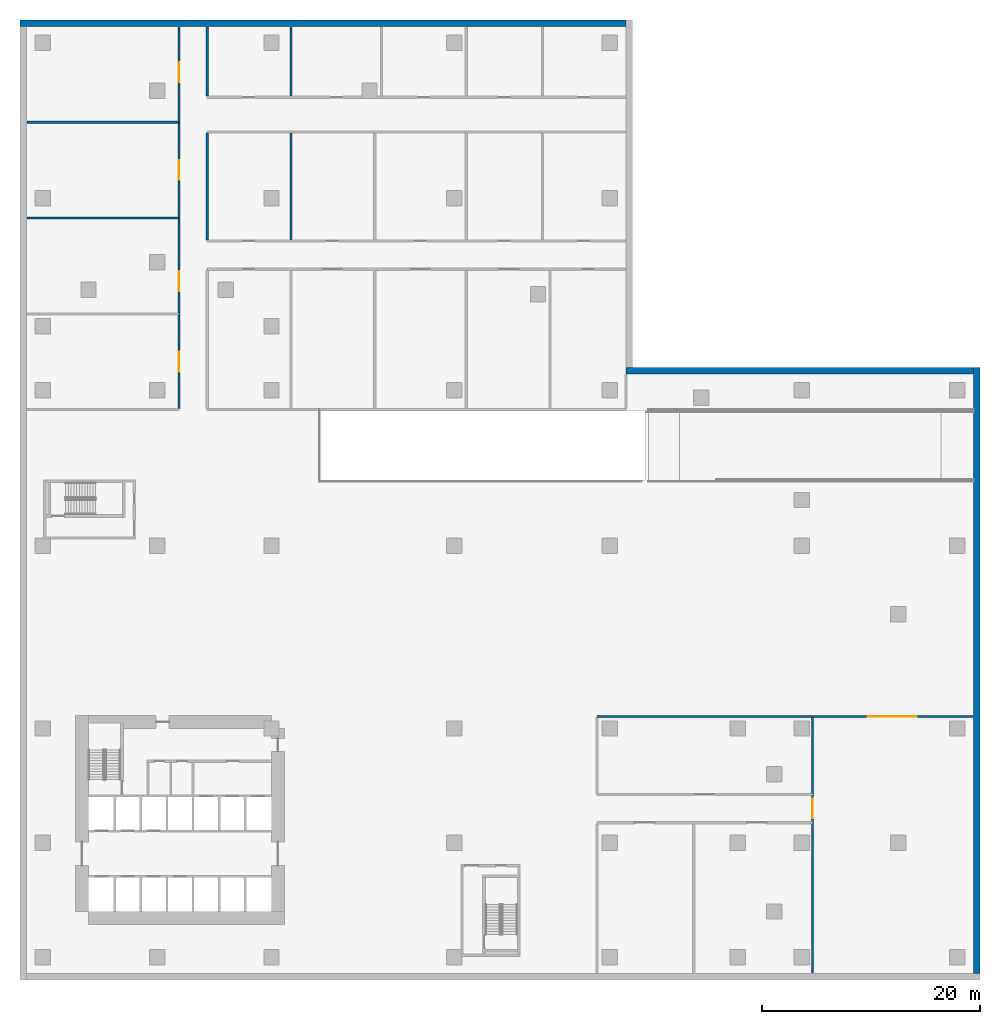
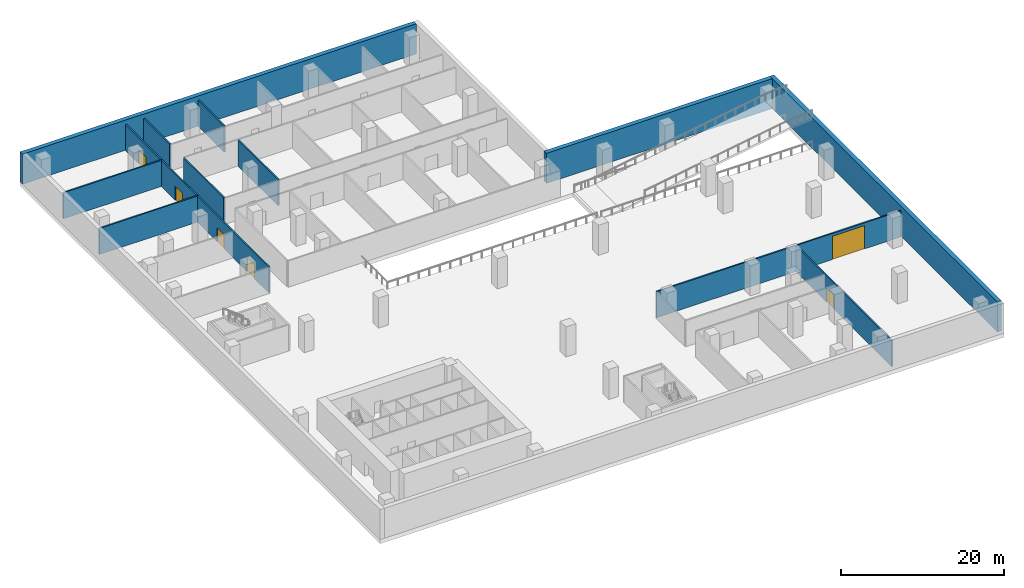
# One storey, part 7 of 12: 12 walls, 6 doors, 6 openings.
"""IFC4 building model written with IfcOpenShell, lengths in metres."""

from ifc_helpers import new_model, si_unit, direction, frame, frame_2d, origin, place, context, subcontext, project, spatial, rectangle, extrude, source, transform, mapped, material, layer, layer_set, type_object, element, fill, save


model = new_model("IFC4")

# Units and contexts
model_context = context("Model", 3, precision=1e-05, world=origin(), true_north=direction((0.0, 1.0)))
body_context = subcontext(model_context, "Body", "Model", "MODEL_VIEW")
ifc_project = project(units=[si_unit("LENGTHUNIT", "METRE"), si_unit("AREAUNIT", "SQUARE_METRE"), si_unit("VOLUMEUNIT", "CUBIC_METRE"), si_unit("PLANEANGLEUNIT", "RADIAN"), si_unit("MASSUNIT", "GRAM", prefix="KILO")], contexts=[model_context])

# Site, building, storey
site_placement = place(None, origin())
site = spatial("IfcSite", under=ifc_project, at=site_placement, CompositionType="ELEMENT")
building_placement = place(site_placement, origin())
building = spatial("IfcBuilding", under=site, at=building_placement, Name="Aurelian Terraces", CompositionType="ELEMENT")
storey_placement = place(building_placement, frame((0.0, 0.0, -4.5)))
storey = spatial("IfcBuildingStorey", under=building, at=storey_placement, Name="B1", CompositionType="ELEMENT", Elevation=-4.5)

# Wall, opening, door
ifc_material_1 = material(Name="Gypsum board on steel studs", Category="steel")
ifc_layer_1 = layer(ifc_material_1, 0.2)
ifc_layer_set_1 = layer_set([ifc_layer_1], Name="Basement partition 200")
wall_type_1 = type_object("IfcWallType", Name="Basement partition 200", PredefinedType="PARTITIONING", material=ifc_layer_set_1)
wall_1_placement = place(storey_placement, frame((70.7, -1.44, 0.0), z_axis=(0.0, 0.0, 1.0), x_axis=(0.0, 1.0, 0.0)))
wall_1 = element("IfcWall", 1, at=wall_1_placement, inside=storey, type_object=wall_type_1, Name="B1 partition 033", PredefinedType="PARTITIONING", context=body_context, shape_type="SweptSolid", body=[
    extrude(rectangle(XDim=23.44, YDim=0.2, at=frame_2d((11.72, 0.0))), origin(), (0.0, 0.0, 1.0), 3.9),
])
shared_shape_1 = source(origin(), body_context, "Body", "SweptSolid", [
    extrude(rectangle(XDim=1.8, YDim=2.1, at=frame_2d((0.9, 1.05))), frame((0.0, 0.11, 0.0), z_axis=(0.0, -1.0, 0.0), x_axis=(1.0, 0.0, 0.0)), (0.0, 0.0, 1.0), 0.22),
])
opening_1_placement = place(wall_1_placement, frame((14.19, 0.0, 0.0)))
opening_1 = element("IfcOpeningElement", 2, at=opening_1_placement, cuts=wall_1, Name="Opening 50223", PredefinedType="OPENING", context=body_context, shape_type="MappedRepresentation", body=[
    mapped(shared_shape_1, transform((0.0, 0.0, 0.0), scale=1.0)),
])
ifc_material_2 = material(Name="Steel door leaf", Category="steel")
door_type_1 = type_object("IfcDoorType", Name="Back of house door double 1800x2100", OperationType="DOUBLE_DOOR_SINGLE_SWING", PredefinedType="DOOR", material=ifc_material_2)
shared_shape_2 = source(origin(), body_context, "Body", "SweptSolid", [
    extrude(rectangle(XDim=1.8, YDim=2.1, at=frame_2d((0.9, 1.05))), frame((0.0, 0.025, 0.0), z_axis=(0.0, -1.0, 0.0), x_axis=(1.0, 0.0, 0.0)), (0.0, 0.0, 1.0), 0.05),
])
door_1_placement = place(opening_1_placement, origin())
door_1 = element("IfcDoor", 3, at=door_1_placement, inside=storey, type_object=door_type_1, Name="Room door 50223", OperationType="DOUBLE_DOOR_SINGLE_SWING", OverallHeight=2.1, OverallWidth=1.8, PredefinedType="DOOR", context=body_context, shape_type="MappedRepresentation", body=[
    mapped(shared_shape_2, transform((0.0, 0.0, 0.0), scale=1.0)),
])
fill(opening_1, door_1)

# Walls
ifc_material_3 = material(Name="Concrete fc' 40 MPa", Category="concrete")
ifc_layer_2 = layer(ifc_material_3, 0.6)
ifc_layer_set_2 = layer_set([ifc_layer_2], Name="BASEMENT WALL 600 FC40")
wall_type_2 = type_object("IfcWallType", Name="BASEMENT WALL 600 FC40", PredefinedType="SOLIDWALL", material=ifc_layer_set_2)
shared_shape_3 = source(origin(), body_context, "Body", "SweptSolid", [
    extrude(rectangle(XDim=55.68, YDim=0.6, at=frame_2d((27.84, 0.0))), origin(), (0.0, 0.0, 1.0), 4.5),
])
for number, where, z_axis, x_axis, name in (
    (4, (53.58, 85.8, 0.0), (0.0, 0.0, 1.0), (-1.0, 0.0, 0.0), "Basement wall 2 B1"),
    (5, (85.8, -1.5, 0.0), (0.0, 0.0, 1.0), (0.0, 1.0, 0.0), "Basement wall 5 B1"),
):
    element("IfcWall", number, at=place(storey_placement, frame(where, z_axis=z_axis, x_axis=x_axis)), inside=storey, type_object=wall_type_2, Name=name, PredefinedType="SOLIDWALL", context=body_context, shape_type="MappedRepresentation", body=[
        mapped(shared_shape_3, transform((0.0, 0.0, 0.0), scale=1.0)),
    ])
shared_shape_4 = source(origin(), body_context, "Body", "SweptSolid", [
    extrude(rectangle(XDim=31.92, YDim=0.6, at=frame_2d((15.96, 0.0))), origin(), (0.0, 0.0, 1.0), 4.5),
])
wall_2_placement = place(storey_placement, frame((85.5, 53.88, 0.0), z_axis=(0.0, 0.0, 1.0), x_axis=(-1.0, 0.0, 0.0)))
element("IfcWall", 6, at=wall_2_placement, inside=storey, type_object=wall_type_2, Name="Basement wall 6 B1", PredefinedType="SOLIDWALL", context=body_context, shape_type="MappedRepresentation", body=[
    mapped(shared_shape_4, transform((0.0, 0.0, 0.0), scale=1.0)),
])

# Wall, opening, door
shared_shape_5 = source(origin(), body_context, "Body", "SweptSolid", [
    extrude(rectangle(XDim=34.54, YDim=0.2, at=frame_2d((17.27, 0.0))), origin(), (0.0, 0.0, 1.0), 3.9),
])
wall_3_placement = place(storey_placement, frame((50.9, 22.1, 0.0), z_axis=(0.0, 0.0, 1.0), x_axis=(1.0, 0.0, 0.0)))
wall_3 = element("IfcWall", 7, at=wall_3_placement, inside=storey, type_object=wall_type_1, Name="B1 partition 003", PredefinedType="PARTITIONING", context=body_context, shape_type="MappedRepresentation", body=[
    mapped(shared_shape_5, transform((0.0, 0.0, 0.0), scale=1.0)),
])
opening_2_placement = place(wall_3_placement, frame((24.9, 0.0, 0.0)))
opening_2 = element("IfcOpeningElement", 8, at=opening_2_placement, cuts=wall_3, Name="Opening 50222", PredefinedType="OPENING", context=body_context, shape_type="SweptSolid", body=[
    extrude(rectangle(XDim=4.5, YDim=3.5, at=frame_2d((2.25, 1.75))), frame((0.0, 0.11, 0.0), z_axis=(0.0, -1.0, 0.0), x_axis=(1.0, 0.0, 0.0)), (0.0, 0.0, 1.0), 0.22),
])
door_type_2 = type_object("IfcDoorType", Name="Vehicle roller shutter 4500x3500", OperationType="ROLLINGUP", PredefinedType="DOOR", material=ifc_material_2)
door_2_placement = place(opening_2_placement, origin())
door_2 = element("IfcDoor", 9, at=door_2_placement, inside=storey, type_object=door_type_2, Name="Vehicle shutter 50222", OperationType="ROLLINGUP", OverallHeight=3.5, OverallWidth=4.5, PredefinedType="DOOR", context=body_context, shape_type="SweptSolid", body=[
    extrude(rectangle(XDim=4.5, YDim=3.5, at=frame_2d((2.25, 1.75))), frame((0.0, 0.025, 0.0), z_axis=(0.0, -1.0, 0.0), x_axis=(1.0, 0.0, 0.0)), (0.0, 0.0, 1.0), 0.05),
])
fill(opening_2, door_2)

# Walls
shared_shape_6 = source(origin(), body_context, "Body", "SweptSolid", [
    extrude(rectangle(XDim=13.94, YDim=0.2, at=frame_2d((6.97, 0.0))), origin(), (0.0, 0.0, 1.0), 3.9),
])
for number, where, z_axis, x_axis, name in (
    (10, (-1.44, 67.9, 0.0), (0.0, 0.0, 1.0), (1.0, 0.0, 0.0), "B1 partition 009"),
    (11, (-1.44, 76.7, 0.0), (0.0, 0.0, 1.0), (1.0, 0.0, 0.0), "B1 partition 011"),
):
    element("IfcWall", number, at=place(storey_placement, frame(where, z_axis=z_axis, x_axis=x_axis)), inside=storey, type_object=wall_type_1, Name=name, PredefinedType="PARTITIONING", context=body_context, shape_type="MappedRepresentation", body=[
        mapped(shared_shape_6, transform((0.0, 0.0, 0.0), scale=1.0)),
    ])
shared_shape_7 = source(origin(), body_context, "Body", "SweptSolid", [
    extrude(rectangle(XDim=9.8, YDim=0.2, at=frame_2d((4.9, 0.0))), origin(), (0.0, 0.0, 1.0), 3.9),
])
for number, where, z_axis, x_axis, name in (
    (12, (15.1, 65.9, 0.0), (0.0, 0.0, 1.0), (0.0, 1.0, 0.0), "B1 partition 015"),
    (13, (22.8, 65.9, 0.0), (0.0, 0.0, 1.0), (0.0, 1.0, 0.0), "B1 partition 018"),
):
    element("IfcWall", number, at=place(storey_placement, frame(where, z_axis=z_axis, x_axis=x_axis)), inside=storey, type_object=wall_type_1, Name=name, PredefinedType="PARTITIONING", context=body_context, shape_type="MappedRepresentation", body=[
        mapped(shared_shape_7, transform((0.0, 0.0, 0.0), scale=1.0)),
    ])
shared_shape_8 = source(origin(), body_context, "Body", "SweptSolid", [
    extrude(rectangle(XDim=6.34, YDim=0.2, at=frame_2d((3.17, 0.0))), origin(), (0.0, 0.0, 1.0), 3.9),
])
for number, where, z_axis, x_axis, name in (
    (14, (15.1, 79.1, 0.0), (0.0, 0.0, 1.0), (0.0, 1.0, 0.0), "B1 partition 016"),
    (15, (22.8, 79.1, 0.0), (0.0, 0.0, 1.0), (0.0, 1.0, 0.0), "B1 partition 019"),
):
    element("IfcWall", number, at=place(storey_placement, frame(where, z_axis=z_axis, x_axis=x_axis)), inside=storey, type_object=wall_type_1, Name=name, PredefinedType="PARTITIONING", context=body_context, shape_type="MappedRepresentation", body=[
        mapped(shared_shape_8, transform((0.0, 0.0, 0.0), scale=1.0)),
    ])

# Wall, openings, doors
shared_shape_9 = source(origin(), body_context, "Body", "SweptSolid", [
    extrude(rectangle(XDim=35.04, YDim=0.2, at=frame_2d((17.52, 0.0))), origin(), (0.0, 0.0, 1.0), 3.9),
])
wall_4_placement = place(storey_placement, frame((12.5, 50.4, 0.0), z_axis=(0.0, 0.0, 1.0), x_axis=(0.0, 1.0, 0.0)))
wall_4 = element("IfcWall", 16, at=wall_4_placement, inside=storey, type_object=wall_type_1, Name="B1 partition 013", PredefinedType="PARTITIONING", context=body_context, shape_type="MappedRepresentation", body=[
    mapped(shared_shape_9, transform((0.0, 0.0, 0.0), scale=1.0)),
])
opening_3_placement = place(wall_4_placement, frame((3.4, 0.0, 0.0)))
opening_3 = element("IfcOpeningElement", 17, at=opening_3_placement, cuts=wall_4, Name="Opening 50200", PredefinedType="OPENING", context=body_context, shape_type="SweptSolid", body=[
    extrude(rectangle(XDim=1.8, YDim=2.1, at=frame_2d((0.9, 1.05))), frame((0.0, 0.11, 0.0), z_axis=(0.0, -1.0, 0.0), x_axis=(1.0, 0.0, 0.0)), (0.0, 0.0, 1.0), 0.22),
])
opening_4_placement = place(wall_4_placement, frame((10.8, 0.0, 0.0)))
opening_4 = element("IfcOpeningElement", 18, at=opening_4_placement, cuts=wall_4, Name="Opening 50201", PredefinedType="OPENING", context=body_context, shape_type="MappedRepresentation", body=[
    mapped(shared_shape_1, transform((0.0, 0.0, 0.0), scale=1.0)),
])
opening_5_placement = place(wall_4_placement, frame((21.0, 0.0, 0.0)))
opening_5 = element("IfcOpeningElement", 19, at=opening_5_placement, cuts=wall_4, Name="Opening 50202", PredefinedType="OPENING", context=body_context, shape_type="MappedRepresentation", body=[
    mapped(shared_shape_1, transform((0.0, 0.0, 0.0), scale=1.0)),
])
opening_6_placement = place(wall_4_placement, frame((30.0, 0.0, 0.0)))
opening_6 = element("IfcOpeningElement", 20, at=opening_6_placement, cuts=wall_4, Name="Opening 50203", PredefinedType="OPENING", context=body_context, shape_type="MappedRepresentation", body=[
    mapped(shared_shape_1, transform((0.0, 0.0, 0.0), scale=1.0)),
])
door_3_placement = place(opening_3_placement, origin())
door_3 = element("IfcDoor", 21, at=door_3_placement, inside=storey, type_object=door_type_1, Name="Room door 50200", OperationType="DOUBLE_DOOR_SINGLE_SWING", OverallHeight=2.1, OverallWidth=1.8, PredefinedType="DOOR", context=body_context, shape_type="MappedRepresentation", body=[
    mapped(shared_shape_2, transform((0.0, 0.0, 0.0), scale=1.0)),
])
fill(opening_3, door_3)
door_4_placement = place(opening_4_placement, origin())
door_4 = element("IfcDoor", 22, at=door_4_placement, inside=storey, type_object=door_type_1, Name="Room door 50201", OperationType="DOUBLE_DOOR_SINGLE_SWING", OverallHeight=2.1, OverallWidth=1.8, PredefinedType="DOOR", context=body_context, shape_type="MappedRepresentation", body=[
    mapped(shared_shape_2, transform((0.0, 0.0, 0.0), scale=1.0)),
])
fill(opening_4, door_4)
door_5_placement = place(opening_5_placement, origin())
door_5 = element("IfcDoor", 23, at=door_5_placement, inside=storey, type_object=door_type_1, Name="Room door 50202", OperationType="DOUBLE_DOOR_SINGLE_SWING", OverallHeight=2.1, OverallWidth=1.8, PredefinedType="DOOR", context=body_context, shape_type="MappedRepresentation", body=[
    mapped(shared_shape_2, transform((0.0, 0.0, 0.0), scale=1.0)),
])
fill(opening_5, door_5)
door_6_placement = place(opening_6_placement, origin())
door_6 = element("IfcDoor", 24, at=door_6_placement, inside=storey, type_object=door_type_1, Name="Room door 50203", OperationType="DOUBLE_DOOR_SINGLE_SWING", OverallHeight=2.1, OverallWidth=1.8, PredefinedType="DOOR", context=body_context, shape_type="MappedRepresentation", body=[
    mapped(shared_shape_2, transform((0.0, 0.0, 0.0), scale=1.0)),
])
fill(opening_6, door_6)

save(model, "model.ifc")
